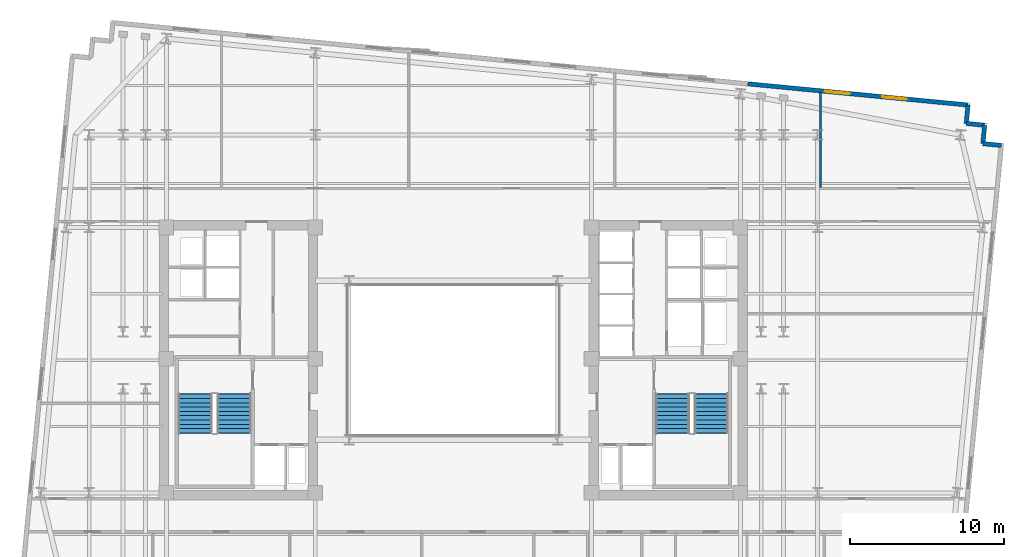
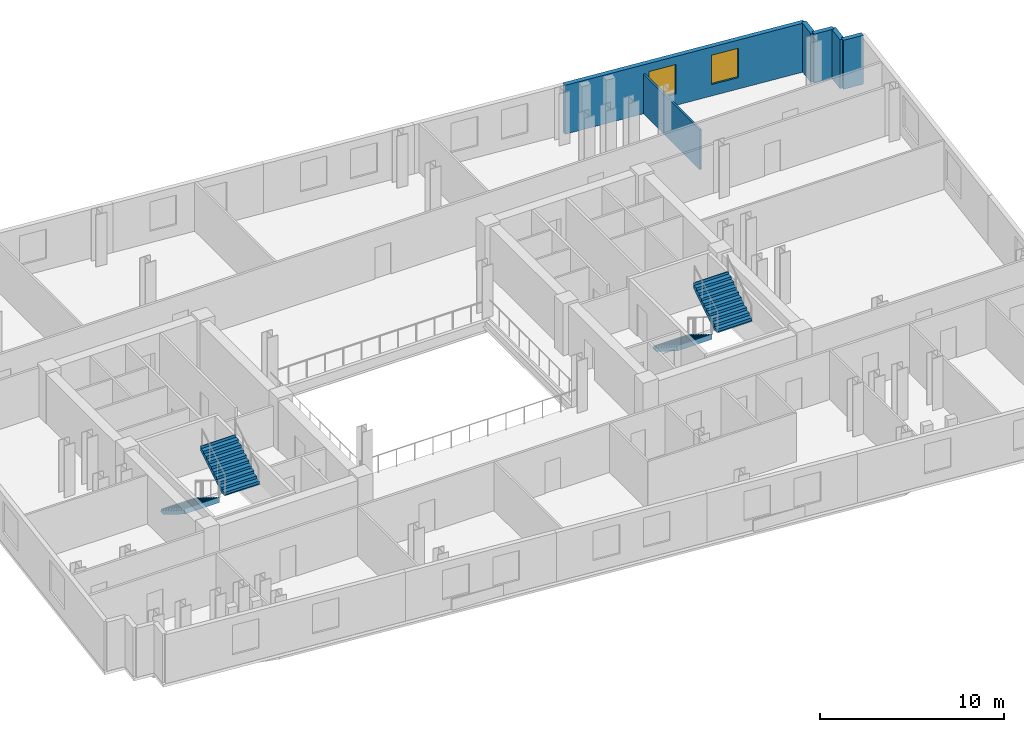
# One storey, part 7 of 9: 6 walls, 4 stair flights, 2 windows, 2 openings, 2 elements without a shape of their own.
"""IFC4 building model written with IfcOpenShell, lengths in metres."""

from ifc_helpers import new_model, si_unit, direction, frame, frame_2d, origin, place, context, subcontext, project, spatial, polyline, rectangle, outline, extrude, material, layer, layer_set, type_object, element, fill, aggregate, save


model = new_model("IFC4")

# Units and contexts
model_context = context("Model", 3, precision=1e-05, world=origin(), true_north=direction((0.0, 1.0)))
body_context = subcontext(model_context, "Body", "Model", "MODEL_VIEW")
ifc_project = project(units=[si_unit("LENGTHUNIT", "METRE"), si_unit("AREAUNIT", "SQUARE_METRE"), si_unit("VOLUMEUNIT", "CUBIC_METRE"), si_unit("PLANEANGLEUNIT", "RADIAN"), si_unit("MASSUNIT", "GRAM", prefix="KILO")], contexts=[model_context])

# Site, building, storey
site_placement = place(None, origin())
site = spatial("IfcSite", under=ifc_project, at=site_placement, CompositionType="ELEMENT")
building_placement = place(site_placement, origin())
building = spatial("IfcBuilding", under=site, at=building_placement, Name="Velakula Bourse", CompositionType="ELEMENT")
storey_placement = place(building_placement, frame((0.0, 0.0, 177.64990234375)))
storey = spatial("IfcBuildingStorey", under=building, at=storey_placement, Name="L48", CompositionType="ELEMENT", Elevation=177.64990234375)

# Wall, openings, windows
ifc_material_1 = material(Name="Red kilned clay facing brick masonry", Category="masonry")
ifc_layer_1 = layer(ifc_material_1, 0.280029296875, Name="Red kilned clay facing brick masonry", Category="masonry")
ifc_layer_set_1 = layer_set([ifc_layer_1], Name="Red kilned clay facing brick masonry")
wall_type_1 = type_object("IfcWallType", Name="WL-EXT-BRK-280", PredefinedType="STANDARD", material=ifc_layer_set_1)
wall_1_placement = place(storey_placement, frame((19.0771484375, 17.90771484375, 0.0), z_axis=(0.0, 0.0, 1.0), x_axis=(0.995395606285, -0.095851901334, 0.0)))
wall_1 = element("IfcWall", 1, at=wall_1_placement, inside=storey, type_object=wall_type_1, Name="L48 N Brick Spandrel Wall B5", PredefinedType="STANDARD", context=body_context, shape_type="SweptSolid", body=[
    extrude(rectangle(XDim=14.33984375, YDim=0.280029296875, at=frame_2d((7.169921875, 0.0))), origin(), (0.0, 0.0, 1.0), 3.25),
])
opening_1_placement = place(wall_1_placement, frame((5.030029296875, 0.0, 0.760009765625)))
opening_1 = element("IfcOpeningElement", 2, at=opening_1_placement, cuts=wall_1, Name="Opening W-02", PredefinedType="OPENING", context=body_context, shape_type="SweptSolid", body=[
    extrude(rectangle(XDim=1.60009765625, YDim=1.949951171875, at=frame_2d((0.800048828125, 0.97509765625))), frame((0.0, 0.14990234375, 0.0), z_axis=(0.0, -1.0, 0.0), x_axis=(1.0, 0.0, 0.0)), (0.0, 0.0, 1.0), 0.300048828125),
])
opening_2_placement = place(wall_1_placement, frame((8.760009765625, 0.0, 0.760009765625)))
opening_2 = element("IfcOpeningElement", 3, at=opening_2_placement, cuts=wall_1, Name="Opening W-02", PredefinedType="OPENING", context=body_context, shape_type="SweptSolid", body=[
    extrude(rectangle(XDim=1.60009765625, YDim=1.949951171875, at=frame_2d((0.800048828125, 0.97509765625))), frame((0.0, 0.14990234375, 0.0), z_axis=(0.0, -1.0, 0.0), x_axis=(1.0, 0.0, 0.0)), (0.0, 0.0, 1.0), 0.300048828125),
])
ifc_material_2 = material(Name="Double-glazed solar-control Low-E glass", Category="glass")
window_type = type_object("IfcWindowType", Name="WIN-TWR-1600x2100", PartitioningType="SINGLE_PANEL", PredefinedType="WINDOW", material=ifc_material_2)
window_1_placement = place(opening_1_placement, origin())
window_1 = element("IfcWindow", 4, at=window_1_placement, inside=storey, type_object=window_type, Name="L48 Deep-Set Recessed Window 1", OverallHeight=1.949951171875, OverallWidth=1.60009765625, PartitioningType="SINGLE_PANEL", PredefinedType="WINDOW", context=body_context, shape_type="SweptSolid", body=[
    extrude(rectangle(XDim=1.60009765625, YDim=1.949951171875, at=frame_2d((0.800048828125, 0.97509765625))), frame((0.0, 0.030029296875, 0.0), z_axis=(0.0, -1.0, 0.0), x_axis=(1.0, 0.0, 0.0)), (0.0, 0.0, 1.0), 0.06005859375),
])
fill(opening_1, window_1)
window_2_placement = place(opening_2_placement, origin())
window_2 = element("IfcWindow", 5, at=window_2_placement, inside=storey, type_object=window_type, Name="L48 Deep-Set Recessed Window 2", OverallHeight=1.949951171875, OverallWidth=1.60009765625, PartitioningType="SINGLE_PANEL", PredefinedType="WINDOW", context=body_context, shape_type="SweptSolid", body=[
    extrude(rectangle(XDim=1.60009765625, YDim=1.949951171875, at=frame_2d((0.800048828125, 0.97509765625))), frame((0.0, 0.030029296875, 0.0), z_axis=(0.0, -1.0, 0.0), x_axis=(1.0, 0.0, 0.0)), (0.0, 0.0, 1.0), 0.06005859375),
])
fill(opening_2, window_2)

# Walls
wall_2_placement = place(storey_placement, frame((35.510009765625, 13.914306640625, 0.0), z_axis=(0.0, 0.0, 1.0), x_axis=(-0.995397091755, 0.095836473879, 0.0)))
element("IfcWall", 6, at=wall_2_placement, inside=storey, type_object=wall_type_1, Name="L48 Serrated Corner Brick Wall NE-1", PredefinedType="STANDARD", context=body_context, shape_type="SweptSolid", body=[
    extrude(rectangle(XDim=1.199951171875, YDim=0.280029296875, at=frame_2d((0.60009765625, 0.0))), origin(), (0.0, 0.0, 1.0), 3.25),
])
for number, where, z_axis, x_axis, name in (
    (7, (34.315673828125, 14.029296875, 0.0), (0.0, 0.0, 1.0), (0.095817067274, 0.995398960025, 0.0), "L48 Serrated Corner Brick Wall NE-2"),
    (8, (34.4306640625, 15.223876953125, 0.0), (0.0, 0.0, 1.0), (-0.995398960025, 0.095817067274, 0.0), "L48 Serrated Corner Brick Wall NE-3"),
):
    element("IfcWall", number, at=place(storey_placement, frame(where, z_axis=z_axis, x_axis=x_axis)), inside=storey, type_object=wall_type_1, Name=name, PredefinedType="STANDARD", context=body_context, shape_type="SweptSolid", body=[
        extrude(rectangle(XDim=1.2001953125, YDim=0.280029296875, at=frame_2d((0.60009765625, 0.0))), origin(), (0.0, 0.0, 1.0), 3.25),
    ])
wall_3_placement = place(storey_placement, frame((33.236083984375, 15.3388671875, 0.0), z_axis=(0.0, 0.0, 1.0), x_axis=(0.095836473879, 0.995397091755, 0.0)))
element("IfcWall", 9, at=wall_3_placement, inside=storey, type_object=wall_type_1, Name="L48 Serrated Corner Brick Wall NE-4", PredefinedType="STANDARD", context=body_context, shape_type="SweptSolid", body=[
    extrude(rectangle(XDim=1.199951171875, YDim=0.280029296875, at=frame_2d((0.60009765625, 0.0))), origin(), (0.0, 0.0, 1.0), 3.25),
])
ifc_material_3 = material(Name="Fire-rated double-layer gypsum drywall partition", Category="gypsum")
ifc_layer_2 = layer(ifc_material_3, 0.1201171875, Name="Fire-rated double-layer gypsum drywall partition", Category="gypsum")
ifc_layer_set_2 = layer_set([ifc_layer_2], Name="Fire-rated double-layer gypsum drywall partition")
wall_type_2 = type_object("IfcWallType", Name="WL-PART-120", PredefinedType="STANDARD", material=ifc_layer_set_2)
wall_4_placement = place(storey_placement, frame((23.791015625, 11.18994140625, 0.0), z_axis=(0.0, 0.0, 1.0), x_axis=(0.0, 1.0, 0.0)))
element("IfcWall", 10, at=wall_4_placement, inside=storey, type_object=wall_type_2, Name="L48 Interior Partition WL-INT-L48-N-D4", PredefinedType="STANDARD", context=body_context, shape_type="SweptSolid", body=[
    extrude(rectangle(XDim=6.143310546875, YDim=0.1201171875, at=frame_2d((3.07177734375, 0.0))), origin(), (0.0, 0.0, 1.0), 2.64501953125),
])

# Stair, stair flights
ifc_material_4 = material(Name="Concrete M45 (fck 45 MPa)", Category="concrete")
stair_type = type_object("IfcStairType", Name="STR-DOG-390", PredefinedType="HALF_TURN_STAIR", material=ifc_material_4)
stair_1_placement = place(storey_placement, origin())
stair_1 = element("IfcStair", 11, at=stair_1_placement, inside=storey, type_object=stair_type, Name="L48 West Core Exit Stair ST-W1", PredefinedType="HALF_TURN_STAIR")
ifc_layer_3 = layer(ifc_material_4, 0.195068359375, Name="Concrete M45 (fck 45 MPa)", Category="concrete")
ifc_layer_set_3 = layer_set([ifc_layer_3], Name="Concrete M45 (fck 45 MPa)")
stair_flight_type = type_object("IfcStairFlightType", Name="FLT-DOG-390", PredefinedType="STRAIGHT", material=ifc_layer_set_3)
stair_flight_1_placement = place(storey_placement, frame((-16.720947265625, -2.199951171875, 0.0), z_axis=(0.0, 0.0, 1.0), x_axis=(0.0, -1.0, 0.0)))
stair_flight_1 = element("IfcStairFlight", 12, at=stair_flight_1_placement, type_object=stair_flight_type, Name="ST-W1 flight 1", NumberOfRisers=10, NumberOfTreads=9, PredefinedType="STRAIGHT", RiserHeight=0.1725, TreadLength=0.28, context=body_context, shape_type="SweptSolid", body=[
    extrude(outline(polyline([(-0.044921875, -0.0400390625), (-0.044921875, -0.036865234375), (-0.044921875, -0.033935546875), (-0.044921875, -0.03076171875), (-0.044921875, -0.027587890625), (-0.044921875, -0.024658203125), (-0.044921875, -0.021484375), (-0.044921875, -0.0185546875), (-0.044921875, -0.015380859375), (-0.044921875, -0.01220703125), (-0.044921875, -0.00927734375), (-0.044921875, -0.006103515625), (-0.044921875, -0.003173828125), (-0.044921875, 0.0), (0.0, 0.0), (0.0, 0.172607421875), (0.280029296875, 0.172607421875), (0.280029296875, 0.344970703125), (0.56005859375, 0.344970703125), (0.56005859375, 0.517578125), (0.840087890625, 0.517578125), (0.840087890625, 0.68994140625), (1.1201171875, 0.68994140625), (1.1201171875, 0.862548828125), (1.39990234375, 0.862548828125), (1.39990234375, 1.034912109375), (1.679931640625, 1.034912109375), (1.679931640625, 1.20751953125), (1.9599609375, 1.20751953125), (1.9599609375, 1.3798828125), (2.239990234375, 1.3798828125), (2.239990234375, 1.552490234375), (2.52001953125, 1.552490234375), (2.52001953125, 1.72509765625), (2.56494140625, 1.72509765625), (2.56494140625, 1.7001953125), (2.56494140625, 1.67529296875), (2.56494140625, 1.650390625), (2.56494140625, 1.62548828125), (2.56494140625, 1.6005859375), (2.56494140625, 1.57568359375), (2.56494140625, 1.55078125), (2.56494140625, 1.52587890625), (2.56494140625, 1.5009765625), (2.56494140625, 1.47607421875), (2.56494140625, 1.451171875), (2.56494140625, 1.42626953125), (2.56494140625, 1.4013671875), (2.56494140625, 1.37646484375), (0.285888671875, -0.0400390625), (-0.044921875, -0.0400390625)])), frame((0.0, 1.09912109375, 0.0), z_axis=(0.0, -1.0, 0.0), x_axis=(1.0, 0.0, 0.0)), (0.0, 0.0, 1.0), 2.197998046875),
])
stair_flight_2_placement = place(storey_placement, frame((-14.198974609375, -4.719970703125, 1.72509765625), z_axis=(0.0, 0.0, 1.0), x_axis=(0.0, 1.0, 0.0)))
stair_flight_2 = element("IfcStairFlight", 13, at=stair_flight_2_placement, type_object=stair_flight_type, Name="ST-W1 flight 2", NumberOfRisers=10, NumberOfTreads=9, PredefinedType="STRAIGHT", RiserHeight=0.1725, TreadLength=0.28, context=body_context, shape_type="SweptSolid", body=[
    extrude(outline(polyline([(-0.044921875, -0.0400390625), (-0.044921875, -0.036865234375), (-0.044921875, -0.033935546875), (-0.044921875, -0.03076171875), (-0.044921875, -0.027587890625), (-0.044921875, -0.024658203125), (-0.044921875, -0.021484375), (-0.044921875, -0.0185546875), (-0.044921875, -0.015380859375), (-0.044921875, -0.01220703125), (-0.044921875, -0.00927734375), (-0.044921875, -0.006103515625), (-0.044921875, -0.003173828125), (-0.044921875, 0.0), (0.0, 0.0), (0.0, 0.172607421875), (0.280029296875, 0.172607421875), (0.280029296875, 0.344970703125), (0.56005859375, 0.344970703125), (0.56005859375, 0.517578125), (0.840087890625, 0.517578125), (0.840087890625, 0.68994140625), (1.1201171875, 0.68994140625), (1.1201171875, 0.862548828125), (1.39990234375, 0.862548828125), (1.39990234375, 1.034912109375), (1.679931640625, 1.034912109375), (1.679931640625, 1.20751953125), (1.9599609375, 1.20751953125), (1.9599609375, 1.3798828125), (2.239990234375, 1.3798828125), (2.239990234375, 1.552490234375), (2.52001953125, 1.552490234375), (2.52001953125, 1.72509765625), (2.56494140625, 1.72509765625), (2.56494140625, 1.7001953125), (2.56494140625, 1.67529296875), (2.56494140625, 1.650390625), (2.56494140625, 1.62548828125), (2.56494140625, 1.6005859375), (2.56494140625, 1.57568359375), (2.56494140625, 1.55078125), (2.56494140625, 1.52587890625), (2.56494140625, 1.5009765625), (2.56494140625, 1.47607421875), (2.56494140625, 1.451171875), (2.56494140625, 1.42626953125), (2.56494140625, 1.4013671875), (2.56494140625, 1.37646484375), (0.285888671875, -0.0400390625), (-0.044921875, -0.0400390625)])), frame((0.0, 1.09912109375, 0.0), z_axis=(0.0, -1.0, 0.0), x_axis=(1.0, 0.0, 0.0)), (0.0, 0.0, 1.0), 2.197998046875),
])
aggregate(stair_1, [stair_flight_1, stair_flight_2])

stair_2_placement = place(storey_placement, origin())
stair_2 = element("IfcStair", 14, at=stair_2_placement, inside=storey, type_object=stair_type, Name="L48 East Core Exit Stair ST-E1", PredefinedType="HALF_TURN_STAIR")
stair_flight_3_placement = place(storey_placement, frame((14.198974609375, -2.199951171875, 0.0), z_axis=(0.0, 0.0, 1.0), x_axis=(0.0, -1.0, 0.0)))
stair_flight_3 = element("IfcStairFlight", 15, at=stair_flight_3_placement, type_object=stair_flight_type, Name="ST-E1 flight 1", NumberOfRisers=10, NumberOfTreads=9, PredefinedType="STRAIGHT", RiserHeight=0.1725, TreadLength=0.28, context=body_context, shape_type="SweptSolid", body=[
    extrude(outline(polyline([(-0.044921875, -0.0400390625), (-0.044921875, -0.036865234375), (-0.044921875, -0.033935546875), (-0.044921875, -0.03076171875), (-0.044921875, -0.027587890625), (-0.044921875, -0.024658203125), (-0.044921875, -0.021484375), (-0.044921875, -0.0185546875), (-0.044921875, -0.015380859375), (-0.044921875, -0.01220703125), (-0.044921875, -0.00927734375), (-0.044921875, -0.006103515625), (-0.044921875, -0.003173828125), (-0.044921875, 0.0), (0.0, 0.0), (0.0, 0.172607421875), (0.280029296875, 0.172607421875), (0.280029296875, 0.344970703125), (0.56005859375, 0.344970703125), (0.56005859375, 0.517578125), (0.840087890625, 0.517578125), (0.840087890625, 0.68994140625), (1.1201171875, 0.68994140625), (1.1201171875, 0.862548828125), (1.39990234375, 0.862548828125), (1.39990234375, 1.034912109375), (1.679931640625, 1.034912109375), (1.679931640625, 1.20751953125), (1.9599609375, 1.20751953125), (1.9599609375, 1.3798828125), (2.239990234375, 1.3798828125), (2.239990234375, 1.552490234375), (2.52001953125, 1.552490234375), (2.52001953125, 1.72509765625), (2.56494140625, 1.72509765625), (2.56494140625, 1.7001953125), (2.56494140625, 1.67529296875), (2.56494140625, 1.650390625), (2.56494140625, 1.62548828125), (2.56494140625, 1.6005859375), (2.56494140625, 1.57568359375), (2.56494140625, 1.55078125), (2.56494140625, 1.52587890625), (2.56494140625, 1.5009765625), (2.56494140625, 1.47607421875), (2.56494140625, 1.451171875), (2.56494140625, 1.42626953125), (2.56494140625, 1.4013671875), (2.56494140625, 1.37646484375), (0.285888671875, -0.0400390625), (-0.044921875, -0.0400390625)])), frame((0.0, 1.09912109375, 0.0), z_axis=(0.0, -1.0, 0.0), x_axis=(1.0, 0.0, 0.0)), (0.0, 0.0, 1.0), 2.197998046875),
])
stair_flight_4_placement = place(storey_placement, frame((16.720947265625, -4.719970703125, 1.72509765625), z_axis=(0.0, 0.0, 1.0), x_axis=(0.0, 1.0, 0.0)))
stair_flight_4 = element("IfcStairFlight", 16, at=stair_flight_4_placement, type_object=stair_flight_type, Name="ST-E1 flight 2", NumberOfRisers=10, NumberOfTreads=9, PredefinedType="STRAIGHT", RiserHeight=0.1725, TreadLength=0.28, context=body_context, shape_type="SweptSolid", body=[
    extrude(outline(polyline([(-0.044921875, -0.0400390625), (-0.044921875, -0.036865234375), (-0.044921875, -0.033935546875), (-0.044921875, -0.03076171875), (-0.044921875, -0.027587890625), (-0.044921875, -0.024658203125), (-0.044921875, -0.021484375), (-0.044921875, -0.0185546875), (-0.044921875, -0.015380859375), (-0.044921875, -0.01220703125), (-0.044921875, -0.00927734375), (-0.044921875, -0.006103515625), (-0.044921875, -0.003173828125), (-0.044921875, 0.0), (0.0, 0.0), (0.0, 0.172607421875), (0.280029296875, 0.172607421875), (0.280029296875, 0.344970703125), (0.56005859375, 0.344970703125), (0.56005859375, 0.517578125), (0.840087890625, 0.517578125), (0.840087890625, 0.68994140625), (1.1201171875, 0.68994140625), (1.1201171875, 0.862548828125), (1.39990234375, 0.862548828125), (1.39990234375, 1.034912109375), (1.679931640625, 1.034912109375), (1.679931640625, 1.20751953125), (1.9599609375, 1.20751953125), (1.9599609375, 1.3798828125), (2.239990234375, 1.3798828125), (2.239990234375, 1.552490234375), (2.52001953125, 1.552490234375), (2.52001953125, 1.72509765625), (2.56494140625, 1.72509765625), (2.56494140625, 1.7001953125), (2.56494140625, 1.67529296875), (2.56494140625, 1.650390625), (2.56494140625, 1.62548828125), (2.56494140625, 1.6005859375), (2.56494140625, 1.57568359375), (2.56494140625, 1.55078125), (2.56494140625, 1.52587890625), (2.56494140625, 1.5009765625), (2.56494140625, 1.47607421875), (2.56494140625, 1.451171875), (2.56494140625, 1.42626953125), (2.56494140625, 1.4013671875), (2.56494140625, 1.37646484375), (0.285888671875, -0.0400390625), (-0.044921875, -0.0400390625)])), frame((0.0, 1.09912109375, 0.0), z_axis=(0.0, -1.0, 0.0), x_axis=(1.0, 0.0, 0.0)), (0.0, 0.0, 1.0), 2.197998046875),
])
aggregate(stair_2, [stair_flight_3, stair_flight_4])

save(model, "model.ifc")
